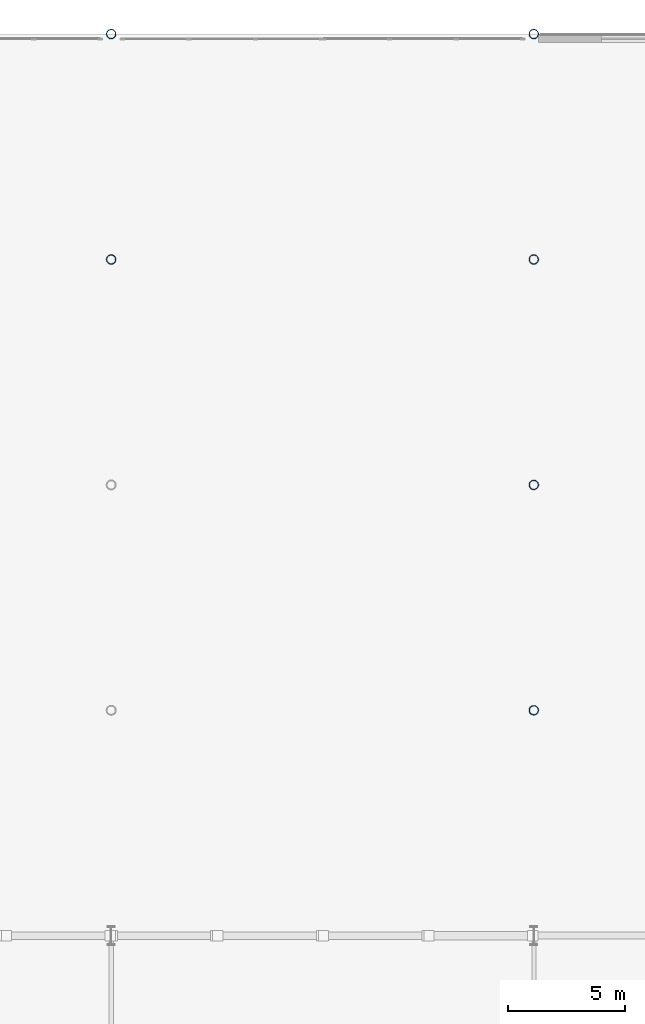
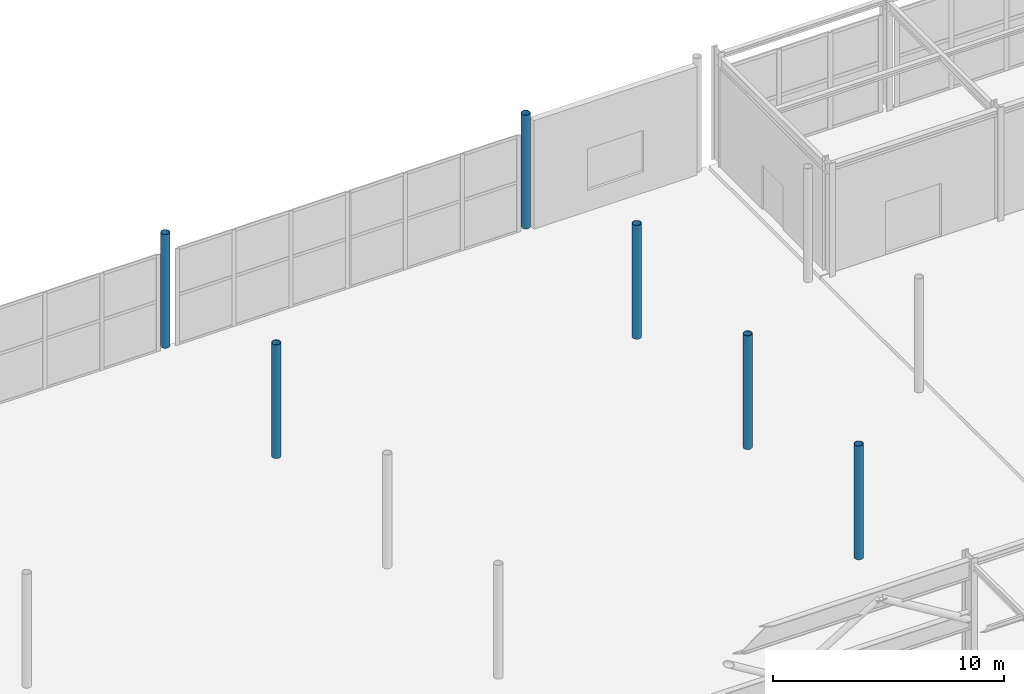
# One storey, part 13 of 113: 6 columns.
"""IFC4 building model written with IfcOpenShell, lengths in metres."""

import ifcopenshell
import ifcopenshell.guid

model = None  # the IFC model being written
_history = None  # IfcOwnerHistory: only IFC2X3 demands one
_inside = {}  # id of a spatial element -> (the spatial element, [elements in it])
_under = {}  # id of a project, library or spatial element -> (it, [spatial elements below it])
_declared = {}  # id of a project -> (the project, [libraries it declares])
_typed = {}  # id of a type object -> (the type object, [elements of that type])
_made_of = {}  # id of a material, layer set ... -> (it, [elements and type objects made of it])


def new_model(schema):
    """Start an empty IFC model of exactly this schema.

    Asked for "IFC4X3", IfcOpenShell would pick the latest addendum, in which some entities
    have other attributes; the version numbers below select the first issue.
    IFC2X3 requires an IfcOwnerHistory on every rooted entity: one is made here for all.
    """
    global model, _history
    if schema == "IFC4X3":
        model = ifcopenshell.file(schema_version=(4, 3, 0, 0))
    else:
        model = ifcopenshell.file(schema=schema)
    _inside.clear()
    _under.clear()
    _declared.clear()
    _typed.clear()
    _made_of.clear()
    _history = None
    if model.schema == "IFC2X3":
        org = make("IfcOrganization", Name="unknown")
        user = make(
            "IfcPersonAndOrganization",
            ThePerson=make("IfcPerson", FamilyName="unknown"),
            TheOrganization=org,
        )
        app = make(
            "IfcApplication",
            ApplicationDeveloper=org,
            Version="unknown",
            ApplicationFullName="unknown",
            ApplicationIdentifier="unknown",
        )
        _history = make(
            "IfcOwnerHistory",
            OwningUser=user,
            OwningApplication=app,
            ChangeAction="ADDED",
            CreationDate=0,
        )
    return model


def make(cls, **values):
    """One entity of the class cls with the attributes given. An attribute that is None is left unset."""
    return model.create_entity(
        cls, **{name: value for name, value in values.items() if value is not None}
    )


def rooted(cls, **values):
    """An entity with a GlobalId (a new one), such as an element, a storey or a relation."""
    return make(cls, GlobalId=ifcopenshell.guid.new(), OwnerHistory=_history, **values)


def si_unit(unit_type, name, prefix=None):
    """IfcSIUnit, for example si_unit("LENGTHUNIT", "METRE", prefix="MILLI")."""
    return make("IfcSIUnit", UnitType=unit_type, Prefix=prefix, Name=name)


def assignment(units):
    """IfcUnitAssignment: the units of a project."""
    return None if units is None else make("IfcUnitAssignment", Units=units)


def point(xyz):
    """IfcCartesianPoint."""
    return None if xyz is None else make("IfcCartesianPoint", Coordinates=xyz)


def direction(xyz):
    """IfcDirection."""
    return None if xyz is None else make("IfcDirection", DirectionRatios=xyz)


def frame(location, z_axis=None, x_axis=None):
    """IfcAxis2Placement3D, a coordinate frame: its origin and axes. An axis left out is left unset."""
    return make(
        "IfcAxis2Placement3D",
        Location=point(location),
        Axis=direction(z_axis),
        RefDirection=direction(x_axis),
    )


def frame_2d(location, x_axis=None):
    """IfcAxis2Placement2D, a coordinate frame in the plane: its origin and x axis."""
    return make(
        "IfcAxis2Placement2D", Location=point(location), RefDirection=direction(x_axis)
    )


def origin():
    """The frame at (0, 0, 0) with its axes left unset."""
    return frame((0.0, 0.0, 0.0))


def origin_2d():
    """The frame at (0, 0) in the plane with its x axis left unset."""
    return frame_2d((0.0, 0.0))


def place(relative_to, where):
    """IfcLocalPlacement: puts the frame where relative to a parent placement (None: the world)."""
    return make(
        "IfcLocalPlacement", PlacementRelTo=relative_to, RelativePlacement=where
    )


def context(
    kind, dimensions, precision=None, world=None, true_north=None, identifier=None
):
    """IfcGeometricRepresentationContext, for example the 3D "Model" context."""
    return make(
        "IfcGeometricRepresentationContext",
        ContextIdentifier=identifier,
        ContextType=kind,
        CoordinateSpaceDimension=dimensions,
        Precision=precision,
        WorldCoordinateSystem=world,
        TrueNorth=true_north,
    )


def subcontext(parent, identifier, kind, view, scale=None):
    """IfcGeometricRepresentationSubContext, for example "Body" below "Model"."""
    return make(
        "IfcGeometricRepresentationSubContext",
        ContextIdentifier=identifier,
        ContextType=kind,
        ParentContext=parent,
        TargetScale=scale,
        TargetView=view,
    )


def project(units=None, contexts=None):
    """IfcProject with its units and contexts."""
    return rooted(
        "IfcProject",
        Name="project",
        RepresentationContexts=contexts,
        UnitsInContext=assignment(units),
    )


def spatial(cls, under=None, at=None, **own):
    """A site, building, storey or space (cls), placed at a placement, below another one or the project."""
    s = rooted(cls, ObjectPlacement=at, **own)
    if under is not None:
        _under.setdefault(under.id(), (under, []))[1].append(s)
    return s


def profile(cls, at=None, kind="AREA", **sizes):
    """A parametric profile (cls). Its sizes go by their IFC names, for example OverallWidth=200.0."""
    return make(cls, ProfileType=kind, Position=at, **sizes)


def hollow_circle(**sizes):
    """IfcCircleHollowProfileDef."""
    return profile("IfcCircleHollowProfileDef", **sizes)


def extrude(swept, where, along, depth):
    """IfcExtrudedAreaSolid: the profile swept, set in the frame where, extruded along a direction by depth."""
    return make(
        "IfcExtrudedAreaSolid",
        SweptArea=swept,
        Position=where,
        ExtrudedDirection=direction(along),
        Depth=depth,
    )


def shape(context_of_items, identifier, shape_type, items):
    """IfcShapeRepresentation: the items that make up one representation, for example the "Body"."""
    return make(
        "IfcShapeRepresentation",
        ContextOfItems=context_of_items,
        RepresentationIdentifier=identifier,
        RepresentationType=shape_type,
        Items=items,
    )


def material(Name=None, Category=None):
    """IfcMaterial."""
    return make("IfcMaterial", Name=Name, Category=Category)


def material_profile(
    of_material, cross_section, Name=None, Category=None, Priority=None
):
    """IfcMaterialProfile: a cross section and its material."""
    return make(
        "IfcMaterialProfile",
        Name=Name,
        Material=of_material,
        Profile=cross_section,
        Priority=Priority,
        Category=Category,
    )


def profile_set(profiles, Name=None, composite=None):
    """IfcMaterialProfileSet."""
    return make(
        "IfcMaterialProfileSet",
        Name=Name,
        MaterialProfiles=profiles,
        CompositeProfile=composite,
    )


def made_of(thing, what):
    """Note that an element or type object is made of a material, layer set ...; save() writes the relation."""
    if what is not None:
        _made_of.setdefault(what.id(), (what, []))[1].append(thing)
    return thing


def type_object(cls, material=None, **own):
    """A type object (cls), such as IfcWallType, which elements share."""
    return made_of(rooted(cls, **own), material)


def element(
    cls,
    number,
    at=None,
    inside=None,
    cuts=None,
    type_object=None,
    material=None,
    context=None,
    identifier="Body",
    shape_type=None,
    held_by="IfcProductDefinitionShape",
    body=None,
    shapes=None,
    **own,
):
    """One element of the class cls, such as IfcWall. Its Tag is "e" and its number.

    at: its placement. inside: the storey or other place that contains it. cuts: it is an
    opening in that element (IfcRelVoidsElement). A single representation is given by context,
    identifier, shape_type and body (its items); several are given by shapes. held_by: the class
    of the entity that holds the representations. save() writes the other relations.
    """
    e = rooted(cls, Tag="e%d" % number, ObjectPlacement=at, **own)
    if body is not None:
        shapes = [shape(context, identifier, shape_type, body)]
    if shapes is not None:
        e.Representation = make(held_by, Representations=shapes)
    if inside is not None:
        _inside.setdefault(inside.id(), (inside, []))[1].append(e)
    if cuts is not None:
        rooted(
            "IfcRelVoidsElement", RelatingBuildingElement=cuts, RelatedOpeningElement=e
        )
    if type_object is not None:
        _typed.setdefault(type_object.id(), (type_object, []))[1].append(e)
    return made_of(e, material)


def aggregate(whole, parts):
    """IfcRelAggregates: a whole, such as a stair, and the parts it consists of."""
    return rooted("IfcRelAggregates", RelatingObject=whole, RelatedObjects=parts)


def save(model, path):
    """Write the relations noted so far, then the file.

    IfcRelAggregates (storeys below a building ...), IfcRelContainedInSpatialStructure (elements
    in a storey), IfcRelDefinesByType, IfcRelAssociatesMaterial and IfcRelDeclares: one each for
    every whole, place, type object, material and project.
    """
    for whole, parts in _under.values():
        aggregate(whole, parts)
    for where, things in _inside.values():
        rooted(
            "IfcRelContainedInSpatialStructure",
            RelatedElements=things,
            RelatingStructure=where,
        )
    for kind, things in _typed.values():
        rooted("IfcRelDefinesByType", RelatedObjects=things, RelatingType=kind)
    for what, things in _made_of.values():
        rooted("IfcRelAssociatesMaterial", RelatedObjects=things, RelatingMaterial=what)
    for by, libraries in _declared.values():
        rooted("IfcRelDeclares", RelatingContext=by, RelatedDefinitions=libraries)
    model.write(path)


model = new_model("IFC4")

# Units and contexts
model_context = context("Model", 3, precision=1e-05, world=origin(), true_north=direction((0.0, 1.0)))
body_context = subcontext(model_context, "Body", "Model", "MODEL_VIEW")
ifc_project = project(units=[si_unit("LENGTHUNIT", "METRE"), si_unit("AREAUNIT", "SQUARE_METRE"), si_unit("VOLUMEUNIT", "CUBIC_METRE"), si_unit("PLANEANGLEUNIT", "RADIAN"), si_unit("MASSUNIT", "GRAM", prefix="KILO")], contexts=[model_context])

# Site, building, storey
site_placement = place(None, origin())
site = spatial("IfcSite", under=ifc_project, at=site_placement, CompositionType="ELEMENT")
building_placement = place(site_placement, origin())
building = spatial("IfcBuilding", under=site, at=building_placement, Name="Myrtia Square Station", CompositionType="ELEMENT")
storey_placement = place(building_placement, origin())
storey = spatial("IfcBuildingStorey", under=building, at=storey_placement, Name="L00", CompositionType="ELEMENT", Elevation=0.0)

# Columns
ifc_material = material(Name="Steel S355", Category="steel")
ifc_material_profile = material_profile(ifc_material, hollow_circle(Radius=0.203125, WallThickness=0.02001953125, at=origin_2d()), Name="CHS 406.4x20")
ifc_profile_set = profile_set([ifc_material_profile], Name="Steel S355")
column_type = type_object("IfcColumnType", Name="COL-CHS406", PredefinedType="COLUMN", material=ifc_profile_set)
for number, where, z_axis, x_axis, name in (
    (1, (45.0, 115.199951171875, 0.0), (0.0, 0.0, 1.0), (1.0, 0.0, 0.0), "Column L00-0152"),
    (2, (45.0, 124.800048828125, 0.0), (0.0, 0.0, 1.0), (1.0, 0.0, 0.0), "Column L00-0155"),
    (3, (63.0, 96.0, 0.0), (0.0, 0.0, 1.0), (1.0, 0.0, 0.0), "Column L00-0188"),
    (4, (63.0, 105.60009765625, 0.0), (0.0, 0.0, 1.0), (1.0, 0.0, 0.0), "Column L00-0191"),
    (5, (63.0, 115.199951171875, 0.0), (0.0, 0.0, 1.0), (1.0, 0.0, 0.0), "Column L00-0194"),
    (6, (63.0, 124.800048828125, 0.0), (0.0, 0.0, 1.0), (1.0, 0.0, 0.0), "Column L00-0197"),
):
    element("IfcColumn", number, at=place(storey_placement, frame(where, z_axis=z_axis, x_axis=x_axis)), inside=storey, type_object=column_type, Name=name, PredefinedType="COLUMN", context=body_context, shape_type="SweptSolid", body=[
        extrude(hollow_circle(Radius=0.203125, WallThickness=0.02001953125, at=origin_2d()), origin(), (0.0, 0.0, 1.0), 6.0),
    ])

save(model, "model.ifc")
